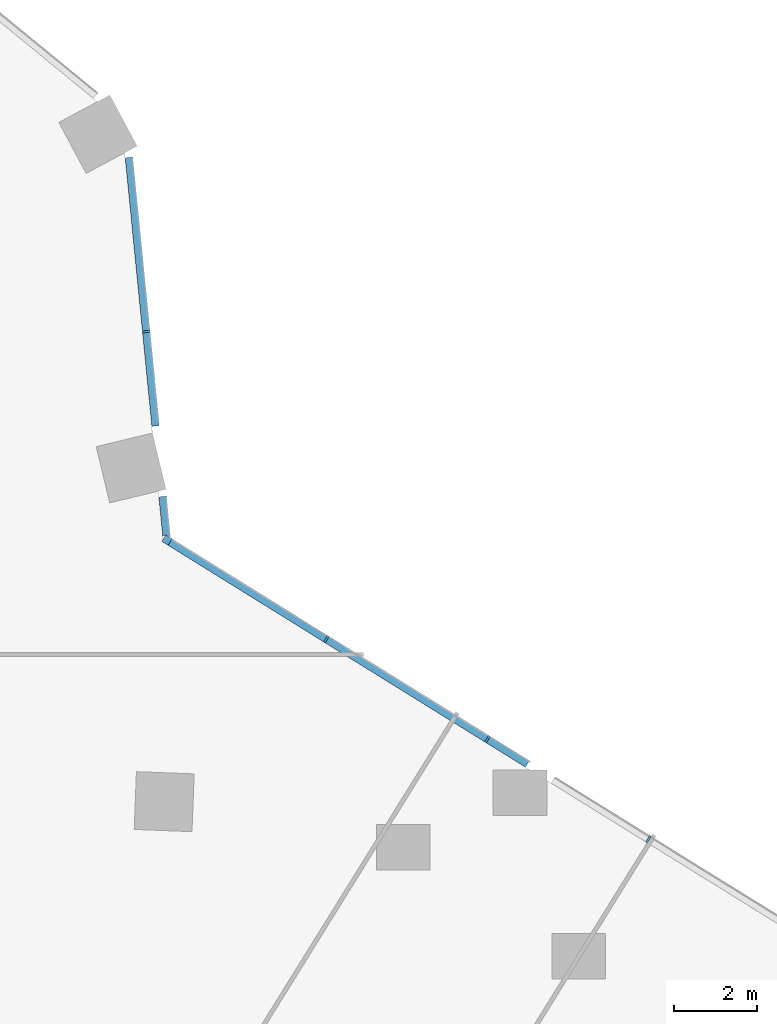
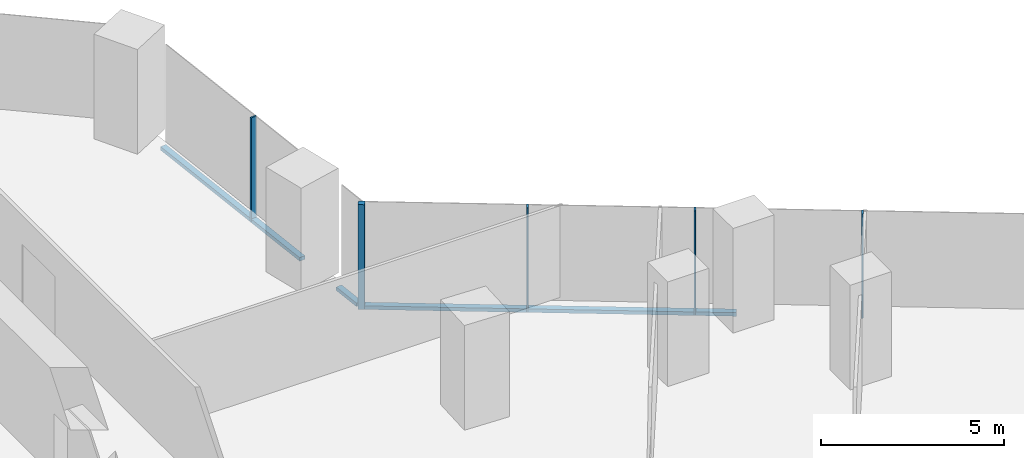
# One storey, part 10 of 34: 8 members, 2 elements without a shape of their own.
"""IFC4 building model written with IfcOpenShell, lengths in metres."""

from ifc_helpers import new_model, si_unit, direction, frame, origin, origin_2d, place, context, subcontext, project, spatial, rectangle, extrude, material, material_profile, profile_set, type_object, element, aggregate, save


model = new_model("IFC4")

# Units and contexts
model_context = context("Model", 3, precision=1e-05, world=origin(), true_north=direction((0.0, 1.0)))
body_context = subcontext(model_context, "Body", "Model", "MODEL_VIEW")
ifc_project = project(units=[si_unit("LENGTHUNIT", "METRE"), si_unit("AREAUNIT", "SQUARE_METRE"), si_unit("VOLUMEUNIT", "CUBIC_METRE"), si_unit("PLANEANGLEUNIT", "RADIAN"), si_unit("MASSUNIT", "GRAM", prefix="KILO")], contexts=[model_context])

# Site, building, storey
site_placement = place(None, origin())
site = spatial("IfcSite", under=ifc_project, at=site_placement, CompositionType="ELEMENT")
building_placement = place(site_placement, origin())
building = spatial("IfcBuilding", under=site, at=building_placement, Name="Orlundy Tower", CompositionType="ELEMENT")
storey_placement = place(building_placement, frame((0.0, 0.0, 44.300048828125)))
storey = spatial("IfcBuildingStorey", under=building, at=storey_placement, Name="L09", CompositionType="ELEMENT", Elevation=44.300048828125)

# Curtain wall, member
ifc_material_1 = material(Name="Aluminium bronze anodised", Category="aluminium")
curtain_wall_type = type_object("IfcCurtainWallType", Name="CW1 wall", PredefinedType="NOTDEFINED", material=ifc_material_1)
curtain_wall_1_placement = place(storey_placement, origin())
curtain_wall_1 = element("IfcCurtainWall", 1, at=curtain_wall_1_placement, inside=storey, type_object=curtain_wall_type, Name="CW1 run 06", PredefinedType="NOTDEFINED")
ifc_material_2 = material(Name="Aluminium bronze anodised", Category="aluminium")
ifc_material_profile_1 = material_profile(ifc_material_2, rectangle(XDim=0.179931640625, YDim=0.179931640625, at=origin_2d()), Name="CW1 corner post 180x180")
ifc_profile_set_1 = profile_set([ifc_material_profile_1], Name="Aluminium bronze anodised")
member_type_1 = type_object("IfcMemberType", Name="CW1 corner post 180x180", PredefinedType="MULLION", material=ifc_profile_set_1)
member_1_placement = place(storey_placement, frame((29.72216796875, 5.194091796875, -0.420166015625), z_axis=(0.0, 0.0, 1.0), x_axis=(0.527453271529, 0.849584043137, 0.0)))
member_1 = element("IfcMember", 2, at=member_1_placement, type_object=member_type_1, Name="CW1 mullion 26", PredefinedType="MULLION", context=body_context, shape_type="SweptSolid", body=[
    extrude(rectangle(XDim=0.179931640625, YDim=0.179931640625, at=origin_2d()), origin(), (0.0, 0.0, 1.0), 3.5),
])

curtain_wall_2_placement = place(storey_placement, origin())
curtain_wall_2 = element("IfcCurtainWall", 3, at=curtain_wall_2_placement, inside=storey, type_object=curtain_wall_type, Name="CW1 run 05", PredefinedType="NOTDEFINED")
ifc_material_3 = material(Name="Aluminium bronze anodised", Category="aluminium")
ifc_material_profile_2 = material_profile(ifc_material_3, rectangle(XDim=0.179931640625, YDim=0.050048828125, at=origin_2d()), Name="CW1 mullion 50x180")
ifc_profile_set_2 = profile_set([ifc_material_profile_2], Name="Aluminium bronze anodised")
member_type_2 = type_object("IfcMemberType", Name="CW1 mullion 50x180", PredefinedType="MULLION", material=ifc_profile_set_2)
member_2_placement = place(storey_placement, frame((29.220947265625, 10.243408203125, -0.420166015625), z_axis=(0.0, 0.0, 1.0), x_axis=(0.995111383815, 0.098758968204, 0.0)))
member_2 = element("IfcMember", 4, at=member_2_placement, type_object=member_type_2, Name="CW1 mullion 25", PredefinedType="MULLION", context=body_context, shape_type="SweptSolid", body=[
    extrude(rectangle(XDim=0.179931640625, YDim=0.050048828125, at=origin_2d()), origin(), (0.0, 0.0, 1.0), 3.5),
])

# Member
member_3_placement = place(storey_placement, frame((33.5830078125, 2.797119140625, -0.420166015625), z_axis=(0.0, 0.0, 1.0), x_axis=(0.527453271529, 0.849584043137, 0.0)))
member_3 = element("IfcMember", 5, at=member_3_placement, type_object=member_type_2, Name="CW1 mullion 27", PredefinedType="MULLION", context=body_context, shape_type="SweptSolid", body=[
    extrude(rectangle(XDim=0.179931640625, YDim=0.050048828125, at=origin_2d()), origin(), (0.0, 0.0, 1.0), 3.5),
])

member_4_placement = place(storey_placement, frame((37.4814453125, 0.376708984375, -0.420166015625), z_axis=(0.0, 0.0, 1.0), x_axis=(0.527453271529, 0.849584043137, 0.0)))
member_4 = element("IfcMember", 6, at=member_4_placement, type_object=member_type_2, Name="CW1 mullion 28", PredefinedType="MULLION", context=body_context, shape_type="SweptSolid", body=[
    extrude(rectangle(XDim=0.179931640625, YDim=0.050048828125, at=origin_2d()), origin(), (0.0, 0.0, 1.0), 3.5),
])

member_5_placement = place(storey_placement, frame((41.3798828125, -2.04345703125, -0.420166015625), z_axis=(0.0, 0.0, 1.0), x_axis=(0.527453271529, 0.849584043137, 0.0)))
member_5 = element("IfcMember", 7, at=member_5_placement, type_object=member_type_2, Name="CW1 mullion 29", PredefinedType="MULLION", context=body_context, shape_type="SweptSolid", body=[
    extrude(rectangle(XDim=0.179931640625, YDim=0.050048828125, at=origin_2d()), origin(), (0.0, 0.0, 1.0), 3.5),
])

ifc_material_4 = material(Name="Aluminium bronze anodised", Category="aluminium")
ifc_material_profile_3 = material_profile(ifc_material_4, rectangle(XDim=0.179931640625, YDim=0.1201171875, at=origin_2d()), Name="CW1 transom 180x120")
ifc_profile_set_3 = profile_set([ifc_material_profile_3], Name="Aluminium bronze anodised")
member_type_3 = type_object("IfcMemberType", Name="CW1 transom 180x120", PredefinedType="USERDEFINED", material=ifc_profile_set_3)
member_6_placement = place(storey_placement, frame((28.802734375, 14.457763671875, -0.360107421875), z_axis=(0.098763452302, -0.995110938785, 0.0), x_axis=(0.995110938785, 0.098763452302, 0.0)))
member_6 = element("IfcMember", 8, at=member_6_placement, type_object=member_type_3, Name="CW1 transom", ObjectType="TRANSOM", PredefinedType="USERDEFINED", context=body_context, shape_type="SweptSolid", body=[
    extrude(rectangle(XDim=0.179931640625, YDim=0.1201171875, at=origin_2d()), origin(), (0.0, 0.0, 1.0), 6.531005859375),
])

member_7_placement = place(storey_placement, frame((29.6171875, 6.2509765625, -0.360107421875), z_axis=(0.098815776009, -0.995105744337, 0.0), x_axis=(0.995105744337, 0.098815776009, 0.0)))
member_7 = element("IfcMember", 9, at=member_7_placement, type_object=member_type_3, Name="CW1 transom", ObjectType="TRANSOM", PredefinedType="USERDEFINED", context=body_context, shape_type="SweptSolid", body=[
    extrude(rectangle(XDim=0.179931640625, YDim=0.1201171875, at=origin_2d()), origin(), (0.0, 0.0, 1.0), 0.94873046875),
])

aggregate(curtain_wall_2, [member_2, member_6, member_7])

member_8_placement = place(storey_placement, frame((29.798583984375, 5.146484375, -0.360107421875), z_axis=(0.849585332978, -0.527451193939, 0.0), x_axis=(0.527451193939, 0.849585332978, 0.0)))
member_8 = element("IfcMember", 10, at=member_8_placement, type_object=member_type_3, Name="CW1 transom", ObjectType="TRANSOM", PredefinedType="USERDEFINED", context=body_context, shape_type="SweptSolid", body=[
    extrude(rectangle(XDim=0.179931640625, YDim=0.1201171875, at=origin_2d()), origin(), (0.0, 0.0, 1.0), 10.18212890625),
])

aggregate(curtain_wall_1, [member_1, member_3, member_4, member_5, member_8])

save(model, "model.ifc")
